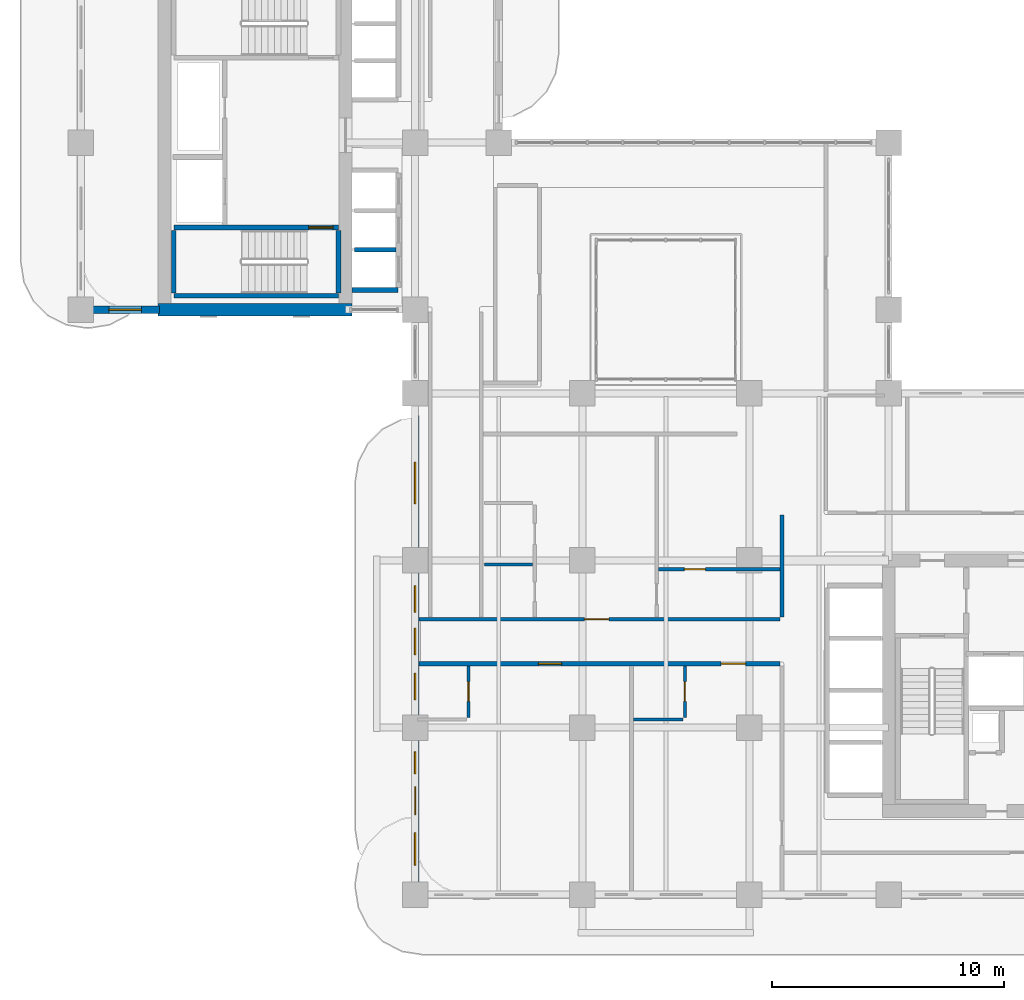
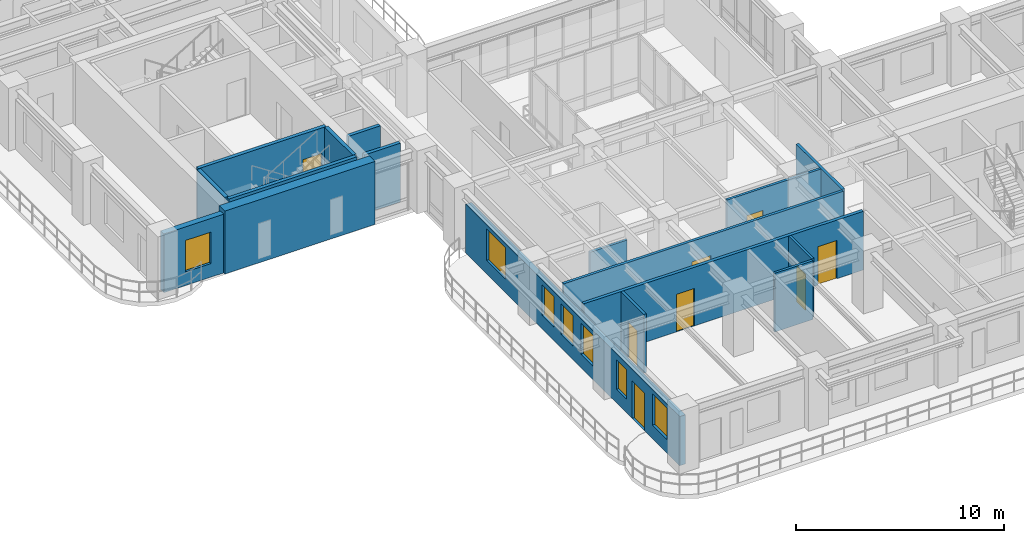
# One storey, part 12 of 22: 17 walls, 8 doors, 7 windows, 15 openings.
"""IFC4 building model written with IfcOpenShell, lengths in metres."""

from ifc_helpers import new_model, si_unit, derived_unit, direction, frame, frame_2d, origin, place, context, subcontext, project, spatial, rectangle, extrude, source, transform, mapped, material, layer, layer_set, type_object, type_shapes, element, fill, save


model = new_model("IFC4")

# Units and contexts
model_context = context("Model", 3, precision=1e-05, world=origin(), true_north=direction((0.0, 1.0)))
body_context = subcontext(model_context, "Body", "Model", "MODEL_VIEW")
ifc_project = project(units=[si_unit("LENGTHUNIT", "METRE"), si_unit("AREAUNIT", "SQUARE_METRE"), si_unit("VOLUMEUNIT", "CUBIC_METRE"), si_unit("PLANEANGLEUNIT", "RADIAN"), si_unit("MASSUNIT", "GRAM", prefix="KILO"), si_unit("THERMODYNAMICTEMPERATUREUNIT", "KELVIN"), si_unit("POWERUNIT", "WATT"), derived_unit("THERMALTRANSMITTANCEUNIT", [(si_unit("POWERUNIT", "WATT"), 1), (si_unit("AREAUNIT", "SQUARE_METRE"), -1), (si_unit("THERMODYNAMICTEMPERATUREUNIT", "KELVIN"), -1)])], contexts=[model_context])

# Site, building, storey
site_placement = place(None, origin())
site = spatial("IfcSite", under=ifc_project, at=site_placement, CompositionType="ELEMENT")
building_placement = place(site_placement, origin())
building = spatial("IfcBuilding", under=site, at=building_placement, Name="Zahravan Archway Hotel and Residences", CompositionType="ELEMENT")
storey_placement = place(building_placement, frame((0.0, 0.0, 91.60009765625)))
storey = spatial("IfcBuildingStorey", under=building, at=storey_placement, Name="L22", CompositionType="ELEMENT", Elevation=91.60009765625)

# Wall
ifc_material_1 = material(Name="Concrete C70/85", Category="concrete")
ifc_layer_1 = layer(ifc_material_1, 0.550048828125, Name="Concrete C70/85", Category="concrete")
ifc_layer_set_1 = layer_set([ifc_layer_1], Name="Concrete C70/85")
wall_type_1 = type_object("IfcWallType", Name="CW-CORE-550", PredefinedType="SHEAR", material=ifc_layer_set_1)
wall_1_placement = place(storey_placement, frame((3.324951171875, 25.199951171875, 0.0), z_axis=(0.0, 0.0, 1.0), x_axis=(1.0, 0.0, 0.0)))
element("IfcWall", 1, at=wall_1_placement, inside=storey, type_object=wall_type_1, Name="L22 Core B Shear S Wall 550 mm", PredefinedType="SHEAR", context=body_context, shape_type="SweptSolid", body=[
    extrude(rectangle(XDim=8.35009765625, YDim=0.550048828125, at=frame_2d((4.175048828125, 0.0))), origin(), (0.0, 0.0, 1.0), 3.699951171875),
])

# Wall, openings, door, windows
ifc_material_2 = material(Name="Agra Buff Sandstone & Insulated Backup", Category="masonry")
ifc_layer_2 = layer(ifc_material_2, 0.320068359375, Name="Agra Buff Sandstone & Insulated Backup", Category="masonry")
ifc_layer_set_2 = layer_set([ifc_layer_2], Name="Agra Buff Sandstone & Insulated Backup")
wall_type_2 = type_object("IfcWallType", Name="EW-SAND-320", PredefinedType="SOLIDWALL", material=ifc_layer_set_2)
wall_2_placement = place(storey_placement, frame((14.39990234375, 0.050048828125, 0.0), z_axis=(0.0, 0.0, 1.0), x_axis=(0.0, 1.0, 0.0)))
wall_2 = element("IfcWall", 2, at=wall_2_placement, inside=storey, type_object=wall_type_2, Name="L22 Exterior Sandstone Wall WA-WL", PredefinedType="SOLIDWALL", context=body_context, shape_type="SweptSolid", body=[
    extrude(rectangle(XDim=20.599853515625, YDim=0.320068359375, at=frame_2d((10.2998046875, 0.0))), origin(), (0.0, 0.0, 1.0), 2.885009765625),
])
opening_1_placement = place(wall_2_placement, frame((3.39990234375, 0.0, 0.0)))
opening_1 = element("IfcOpeningElement", 3, at=opening_1_placement, cuts=wall_2, Name="Opening ED-BL1", PredefinedType="OPENING", context=body_context, shape_type="SweptSolid", body=[
    extrude(rectangle(XDim=1.199951171875, YDim=2.199951171875, at=frame_2d((0.60009765625, 1.10009765625))), frame((0.0, 0.169921875, 0.0), z_axis=(0.0, -1.0, 0.0), x_axis=(1.0, 0.0, 0.0)), (0.0, 0.0, 1.0), 0.340087890625),
])
opening_2_placement = place(wall_2_placement, frame((1.22509765625, 0.0, 0.800048828125)))
opening_2 = element("IfcOpeningElement", 4, at=opening_2_placement, cuts=wall_2, Name="Opening W-03", PredefinedType="OPENING", context=body_context, shape_type="SweptSolid", body=[
    extrude(rectangle(XDim=1.39990234375, YDim=1.85009765625, at=frame_2d((0.699951171875, 0.925048828125))), frame((0.0, 0.169921875, 0.0), z_axis=(0.0, -1.0, 0.0), x_axis=(1.0, 0.0, 0.0)), (0.0, 0.0, 1.0), 0.340087890625),
])
opening_3_placement = place(wall_2_placement, frame((5.14990234375, 0.0, 0.800048828125)))
opening_3 = element("IfcOpeningElement", 5, at=opening_3_placement, cuts=wall_2, Name="Opening W-04", PredefinedType="OPENING", context=body_context, shape_type="SweptSolid", body=[
    extrude(rectangle(XDim=0.949951171875, YDim=1.75, at=frame_2d((0.47509765625, 0.875))), frame((0.0, 0.169921875, 0.0), z_axis=(0.0, -1.0, 0.0), x_axis=(1.0, 0.0, 0.0)), (0.0, 0.0, 1.0), 0.340087890625),
])
opening_4_placement = place(wall_2_placement, frame((8.345947265625, 0.0, 0.800048828125)))
opening_4 = element("IfcOpeningElement", 6, at=opening_4_placement, cuts=wall_2, Name="Opening W-05", PredefinedType="OPENING", context=body_context, shape_type="SweptSolid", body=[
    extrude(rectangle(XDim=1.14990234375, YDim=1.800048828125, at=frame_2d((0.574951171875, 0.89990234375))), frame((0.0, 0.169921875, 0.0), z_axis=(0.0, -1.0, 0.0), x_axis=(1.0, 0.0, 0.0)), (0.0, 0.0, 1.0), 0.340087890625),
])
opening_5_placement = place(wall_2_placement, frame((10.284912109375, 0.0, 0.800048828125)))
opening_5 = element("IfcOpeningElement", 7, at=opening_5_placement, cuts=wall_2, Name="Opening W-05", PredefinedType="OPENING", context=body_context, shape_type="SweptSolid", body=[
    extrude(rectangle(XDim=1.14990234375, YDim=1.800048828125, at=frame_2d((0.574951171875, 0.89990234375))), frame((0.0, 0.169921875, 0.0), z_axis=(0.0, -1.0, 0.0), x_axis=(1.0, 0.0, 0.0)), (0.0, 0.0, 1.0), 0.340087890625),
])
opening_6_placement = place(wall_2_placement, frame((12.114013671875, 0.0, 0.800048828125)))
opening_6 = element("IfcOpeningElement", 8, at=opening_6_placement, cuts=wall_2, Name="Opening W-05", PredefinedType="OPENING", context=body_context, shape_type="SweptSolid", body=[
    extrude(rectangle(XDim=1.14990234375, YDim=1.800048828125, at=frame_2d((0.574951171875, 0.89990234375))), frame((0.0, 0.169921875, 0.0), z_axis=(0.0, -1.0, 0.0), x_axis=(1.0, 0.0, 0.0)), (0.0, 0.0, 1.0), 0.340087890625),
])
opening_7_placement = place(wall_2_placement, frame((16.7900390625, 0.0, 0.800048828125)))
opening_7 = element("IfcOpeningElement", 9, at=opening_7_placement, cuts=wall_2, Name="Opening W-02", PredefinedType="OPENING", context=body_context, shape_type="SweptSolid", body=[
    extrude(rectangle(XDim=1.800048828125, YDim=1.85009765625, at=frame_2d((0.89990234375, 0.925048828125))), frame((0.0, 0.169921875, 0.0), z_axis=(0.0, -1.0, 0.0), x_axis=(1.0, 0.0, 0.0)), (0.0, 0.0, 1.0), 0.340087890625),
])
ifc_material_3 = material(Name="Bronze-Anodized Glazed Aluminium", Category="aluminium")
door_type_1 = type_object("IfcDoorType", Name="ED-BALC-1200", OperationType="SLIDING_TO_LEFT", PredefinedType="DOOR", material=ifc_material_3)
shared_shape_1 = source(origin(), body_context, "Body", "SweptSolid", [
    extrude(rectangle(XDim=1.199951171875, YDim=2.199951171875, at=frame_2d((0.60009765625, 1.10009765625))), frame((0.0, 0.02490234375, 0.0), z_axis=(0.0, -1.0, 0.0), x_axis=(1.0, 0.0, 0.0)), (0.0, 0.0, 1.0), 0.050048828125),
])
type_shapes(door_type_1, [shared_shape_1])
door_1_placement = place(opening_1_placement, origin())
door_1 = element("IfcDoor", 10, at=door_1_placement, inside=storey, type_object=door_type_1, Name="L22 Outdoor Access Sliding Door (SLB-BAL-L22-WA)", OperationType="SLIDING_TO_LEFT", OverallHeight=2.199951171875, OverallWidth=1.199951171875, PredefinedType="DOOR", context=body_context, shape_type="MappedRepresentation", body=[
    mapped(shared_shape_1, transform((0.0, 0.0, 0.0), scale=1.0)),
])
fill(opening_1, door_1)
ifc_material_4 = material(Name="Bronze-Anodized Thermal-Break Aluminium & Low-E Glass", Category="aluminium")
window_type_1 = type_object("IfcWindowType", Name="WIN-TWR-1400", PartitioningType="SINGLE_PANEL", PredefinedType="WINDOW", material=ifc_material_4)
shared_shape_2 = source(origin(), body_context, "Body", "SweptSolid", [
    extrude(rectangle(XDim=1.39990234375, YDim=1.85009765625, at=frame_2d((0.699951171875, 0.925048828125))), frame((0.0, 0.030029296875, 0.0), z_axis=(0.0, -1.0, 0.0), x_axis=(1.0, 0.0, 0.0)), (0.0, 0.0, 1.0), 0.06005859375),
])
type_shapes(window_type_1, [shared_shape_2])
window_1_placement = place(opening_2_placement, origin())
window_1 = element("IfcWindow", 11, at=window_1_placement, inside=storey, type_object=window_type_1, Name="L22 Loggia Window 22", OverallHeight=1.85009765625, OverallWidth=1.39990234375, PartitioningType="SINGLE_PANEL", PredefinedType="WINDOW", context=body_context, shape_type="MappedRepresentation", body=[
    mapped(shared_shape_2, transform((0.0, 0.0, 0.0), scale=1.0)),
])
fill(opening_2, window_1)
window_type_2 = type_object("IfcWindowType", Name="WIN-NAR-950", PartitioningType="SINGLE_PANEL", PredefinedType="WINDOW", material=ifc_material_4)
shared_shape_3 = source(origin(), body_context, "Body", "SweptSolid", [
    extrude(rectangle(XDim=0.949951171875, YDim=1.75, at=frame_2d((0.47509765625, 0.875))), frame((0.0, 0.030029296875, 0.0), z_axis=(0.0, -1.0, 0.0), x_axis=(1.0, 0.0, 0.0)), (0.0, 0.0, 1.0), 0.06005859375),
])
type_shapes(window_type_2, [shared_shape_3])
window_2_placement = place(opening_3_placement, origin())
window_2 = element("IfcWindow", 12, at=window_2_placement, inside=storey, type_object=window_type_2, Name="L22 Loggia Window 23", OverallHeight=1.75, OverallWidth=0.949951171875, PartitioningType="SINGLE_PANEL", PredefinedType="WINDOW", context=body_context, shape_type="MappedRepresentation", body=[
    mapped(shared_shape_3, transform((0.0, 0.0, 0.0), scale=1.0)),
])
fill(opening_3, window_2)
window_type_3 = type_object("IfcWindowType", Name="WIN-TWR-1800", PartitioningType="DOUBLE_PANEL_VERTICAL", PredefinedType="WINDOW", material=ifc_material_4)
shared_shape_4 = source(origin(), body_context, "Body", "SweptSolid", [
    extrude(rectangle(XDim=1.800048828125, YDim=1.85009765625, at=frame_2d((0.89990234375, 0.925048828125))), frame((0.0, 0.030029296875, 0.0), z_axis=(0.0, -1.0, 0.0), x_axis=(1.0, 0.0, 0.0)), (0.0, 0.0, 1.0), 0.06005859375),
])
type_shapes(window_type_3, [shared_shape_4])
window_3_placement = place(opening_7_placement, origin())
window_3 = element("IfcWindow", 13, at=window_3_placement, inside=storey, type_object=window_type_3, Name="L22 Loggia Window 27", OverallHeight=1.85009765625, OverallWidth=1.800048828125, PartitioningType="DOUBLE_PANEL_VERTICAL", PredefinedType="WINDOW", context=body_context, shape_type="MappedRepresentation", body=[
    mapped(shared_shape_4, transform((0.0, 0.0, 0.0), scale=1.0)),
])
fill(opening_7, window_3)
window_type_4 = type_object("IfcWindowType", Name="WIN-TWR-1150", PartitioningType="SINGLE_PANEL", PredefinedType="WINDOW", material=ifc_material_4)
shared_shape_5 = source(origin(), body_context, "Body", "SweptSolid", [
    extrude(rectangle(XDim=1.14990234375, YDim=1.800048828125, at=frame_2d((0.574951171875, 0.89990234375))), frame((0.0, 0.030029296875, 0.0), z_axis=(0.0, -1.0, 0.0), x_axis=(1.0, 0.0, 0.0)), (0.0, 0.0, 1.0), 0.06005859375),
])
type_shapes(window_type_4, [shared_shape_5])
window_4_placement = place(opening_4_placement, origin())
window_4 = element("IfcWindow", 14, at=window_4_placement, inside=storey, type_object=window_type_4, Name="L22 Loggia Window 24", OverallHeight=1.800048828125, OverallWidth=1.14990234375, PartitioningType="SINGLE_PANEL", PredefinedType="WINDOW", context=body_context, shape_type="MappedRepresentation", body=[
    mapped(shared_shape_5, transform((0.0, 0.0, 0.0), scale=1.0)),
])
fill(opening_4, window_4)
window_5_placement = place(opening_5_placement, origin())
window_5 = element("IfcWindow", 15, at=window_5_placement, inside=storey, type_object=window_type_4, Name="L22 Loggia Window 25", OverallHeight=1.800048828125, OverallWidth=1.14990234375, PartitioningType="SINGLE_PANEL", PredefinedType="WINDOW", context=body_context, shape_type="MappedRepresentation", body=[
    mapped(shared_shape_5, transform((0.0, 0.0, 0.0), scale=1.0)),
])
fill(opening_5, window_5)
window_6_placement = place(opening_6_placement, origin())
window_6 = element("IfcWindow", 16, at=window_6_placement, inside=storey, type_object=window_type_4, Name="L22 Loggia Window 26", OverallHeight=1.800048828125, OverallWidth=1.14990234375, PartitioningType="SINGLE_PANEL", PredefinedType="WINDOW", context=body_context, shape_type="MappedRepresentation", body=[
    mapped(shared_shape_5, transform((0.0, 0.0, 0.0), scale=1.0)),
])
fill(opening_6, window_6)

# Wall, opening, window
wall_3_placement = place(storey_placement, frame((0.0, 25.199951171875, 0.0), z_axis=(0.0, 0.0, 1.0), x_axis=(1.0, 0.0, 0.0)))
wall_3 = element("IfcWall", 17, at=wall_3_placement, inside=storey, type_object=wall_type_2, Name="L22 Exterior Sandstone Wall WB-SW", PredefinedType="SOLIDWALL", context=body_context, shape_type="SweptSolid", body=[
    extrude(rectangle(XDim=3.3798828125, YDim=0.320068359375, at=frame_2d((1.68994140625, 0.0))), origin(), (0.0, 0.0, 1.0), 3.449951171875),
])
opening_8_placement = place(wall_3_placement, frame((1.205078125, 0.0, 0.800048828125)))
opening_8 = element("IfcOpeningElement", 18, at=opening_8_placement, cuts=wall_3, Name="Opening W-03", PredefinedType="OPENING", context=body_context, shape_type="SweptSolid", body=[
    extrude(rectangle(XDim=1.39990234375, YDim=1.85009765625, at=frame_2d((0.699951171875, 0.925048828125))), frame((0.0, 0.169921875, 0.0), z_axis=(0.0, -1.0, 0.0), x_axis=(1.0, 0.0, 0.0)), (0.0, 0.0, 1.0), 0.340087890625),
])
window_7_placement = place(opening_8_placement, origin())
window_7 = element("IfcWindow", 19, at=window_7_placement, inside=storey, type_object=window_type_1, Name="L22 Loggia Window 28", OverallHeight=1.85009765625, OverallWidth=1.39990234375, PartitioningType="SINGLE_PANEL", PredefinedType="WINDOW", context=body_context, shape_type="MappedRepresentation", body=[
    mapped(shared_shape_2, transform((0.0, 0.0, 0.0), scale=1.0)),
])
fill(opening_8, window_7)

# Wall, opening, door
ifc_material_5 = material(Name="Fire-Rated Gypsum & Concrete Block", Category="concrete")
ifc_layer_3 = layer(ifc_material_5, 0.159912109375, Name="Fire-Rated Gypsum & Concrete Block", Category="concrete")
ifc_layer_set_3 = layer_set([ifc_layer_3], Name="Fire-Rated Gypsum & Concrete Block")
wall_type_3 = type_object("IfcWallType", Name="PW-CORR-160", PredefinedType="PARTITIONING", material=ifc_layer_set_3)
wall_4_placement = place(storey_placement, frame((14.568115234375, 11.8701171875, 0.0), z_axis=(0.0, 0.0, 1.0), x_axis=(1.0, 0.0, 0.0)))
wall_4 = element("IfcWall", 20, at=wall_4_placement, inside=storey, type_object=wall_type_3, Name="L22 Partition WA-CN", PredefinedType="PARTITIONING", context=body_context, shape_type="SweptSolid", body=[
    extrude(rectangle(XDim=15.5419921875, YDim=0.159912109375, at=frame_2d((7.77099609375, 0.0))), origin(), (0.0, 0.0, 1.0), 3.449951171875),
])
opening_9_placement = place(wall_4_placement, frame((7.1220703125, 0.0, 0.0)))
opening_9 = element("IfcOpeningElement", 21, at=opening_9_placement, cuts=wall_4, Name="Opening D-U1", PredefinedType="OPENING", context=body_context, shape_type="SweptSolid", body=[
    extrude(rectangle(XDim=1.050048828125, YDim=2.25, at=frame_2d((0.52490234375, 1.125))), frame((0.0, 0.08984375, 0.0), z_axis=(0.0, -1.0, 0.0), x_axis=(1.0, 0.0, 0.0)), (0.0, 0.0, 1.0), 0.179931640625),
])
ifc_material_6 = material(Name="Hardwood Veneer Timber", Category="wood")
door_type_2 = type_object("IfcDoorType", Name="ID-UNIT-1050", OperationType="NOTDEFINED", PredefinedType="DOOR", material=ifc_material_6)
shared_shape_6 = source(origin(), body_context, "Body", "SweptSolid", [
    extrude(rectangle(XDim=1.050048828125, YDim=2.25, at=frame_2d((0.52490234375, 1.125))), frame((0.0, 0.02490234375, 0.0), z_axis=(0.0, -1.0, 0.0), x_axis=(1.0, 0.0, 0.0)), (0.0, 0.0, 1.0), 0.050048828125),
])
type_shapes(door_type_2, [shared_shape_6])
door_2_placement = place(opening_9_placement, origin())
door_2 = element("IfcDoor", 22, at=door_2_placement, inside=storey, type_object=door_type_2, Name="L22 Flat AT1 Entrance Door", OperationType="SINGLE_SWING_RIGHT", OverallHeight=2.25, OverallWidth=1.050048828125, PredefinedType="DOOR", context=body_context, shape_type="MappedRepresentation", body=[
    mapped(shared_shape_6, transform((0.0, 0.0, 0.0), scale=1.0)),
])
fill(opening_9, door_2)

# Wall
wall_5_placement = place(storey_placement, frame((30.199951171875, 11.9599609375, 0.0), z_axis=(0.0, 0.0, 1.0), x_axis=(0.0, 1.0, 0.0)))
element("IfcWall", 23, at=wall_5_placement, inside=storey, type_object=wall_type_3, Name="L22 Partition WA-FW", PredefinedType="PARTITIONING", context=body_context, shape_type="SweptSolid", body=[
    extrude(rectangle(XDim=4.400146484375, YDim=0.159912109375, at=frame_2d((2.2001953125, 0.0))), origin(), (0.0, 0.0, 1.0), 3.449951171875),
])

# Wall, openings, doors
ifc_layer_4 = layer(ifc_material_5, 0.179931640625, Name="Fire-Rated Gypsum & Concrete Block", Category="concrete")
ifc_layer_set_4 = layer_set([ifc_layer_4], Name="Fire-Rated Gypsum & Concrete Block")
wall_type_4 = type_object("IfcWallType", Name="PW-CORR-180", PredefinedType="PARTITIONING", material=ifc_layer_set_4)
wall_6_placement = place(storey_placement, frame((14.568115234375, 9.949951171875, 0.0), z_axis=(0.0, 0.0, 1.0), x_axis=(1.0, 0.0, 0.0)))
wall_6 = element("IfcWall", 24, at=wall_6_placement, inside=storey, type_object=wall_type_4, Name="L22 Partition WA-CS", PredefinedType="PARTITIONING", context=body_context, shape_type="SweptSolid", body=[
    extrude(rectangle(XDim=15.5419921875, YDim=0.179931640625, at=frame_2d((7.77099609375, 0.0))), origin(), (0.0, 0.0, 1.0), 3.449951171875),
])
opening_10_placement = place(wall_6_placement, frame((5.14208984375, 0.0, 0.0)))
opening_10 = element("IfcOpeningElement", 25, at=opening_10_placement, cuts=wall_6, Name="Opening D-U2", PredefinedType="OPENING", context=body_context, shape_type="SweptSolid", body=[
    extrude(rectangle(XDim=1.0, YDim=2.199951171875, at=frame_2d((0.5, 1.10009765625))), frame((0.0, 0.10009765625, 0.0), z_axis=(0.0, -1.0, 0.0), x_axis=(1.0, 0.0, 0.0)), (0.0, 0.0, 1.0), 0.199951171875),
])
opening_11_placement = place(wall_6_placement, frame((13.01708984375, 0.0, 0.0)))
opening_11 = element("IfcOpeningElement", 26, at=opening_11_placement, cuts=wall_6, Name="Opening D-U1", PredefinedType="OPENING", context=body_context, shape_type="SweptSolid", body=[
    extrude(rectangle(XDim=1.050048828125, YDim=2.25, at=frame_2d((0.52490234375, 1.125))), frame((0.0, 0.10009765625, 0.0), z_axis=(0.0, -1.0, 0.0), x_axis=(1.0, 0.0, 0.0)), (0.0, 0.0, 1.0), 0.199951171875),
])
door_3_placement = place(opening_11_placement, origin())
door_3 = element("IfcDoor", 27, at=door_3_placement, inside=storey, type_object=door_type_2, Name="L22 Hotel Guestroom 12 Entrance Door", OperationType="SINGLE_SWING_LEFT", OverallHeight=2.25, OverallWidth=1.050048828125, PredefinedType="DOOR", context=body_context, shape_type="MappedRepresentation", body=[
    mapped(shared_shape_6, transform((0.0, 0.0, 0.0), scale=1.0)),
])
fill(opening_11, door_3)
door_type_3 = type_object("IfcDoorType", Name="ID-UNIT-1000", OperationType="NOTDEFINED", PredefinedType="DOOR", material=ifc_material_6)
shared_shape_7 = source(origin(), body_context, "Body", "SweptSolid", [
    extrude(rectangle(XDim=1.0, YDim=2.199951171875, at=frame_2d((0.5, 1.10009765625))), frame((0.0, 0.02490234375, 0.0), z_axis=(0.0, -1.0, 0.0), x_axis=(1.0, 0.0, 0.0)), (0.0, 0.0, 1.0), 0.050048828125),
])
type_shapes(door_type_3, [shared_shape_7])
door_4_placement = place(opening_10_placement, origin())
door_4 = element("IfcDoor", 28, at=door_4_placement, inside=storey, type_object=door_type_3, Name="L22 Hotel Guestroom 11 Entrance Door", OperationType="SINGLE_SWING_LEFT", OverallHeight=2.199951171875, OverallWidth=1.0, PredefinedType="DOOR", context=body_context, shape_type="MappedRepresentation", body=[
    mapped(shared_shape_7, transform((0.0, 0.0, 0.0), scale=1.0)),
])
fill(opening_10, door_4)

# Walls
ifc_layer_5 = layer(ifc_material_5, 0.199951171875, Name="Fire-Rated Gypsum & Concrete Block", Category="concrete")
ifc_layer_set_5 = layer_set([ifc_layer_5], Name="Fire-Rated Gypsum & Concrete Block")
wall_type_5 = type_object("IfcWallType", Name="PW-SHAFT-200", PredefinedType="PARTITIONING", material=ifc_layer_set_5)
wall_7_placement = place(storey_placement, frame((11.68505859375, 26.050048828125, 0.0), z_axis=(0.0, 0.0, 1.0), x_axis=(1.0, 0.0, 0.0)))
element("IfcWall", 29, at=wall_7_placement, inside=storey, type_object=wall_type_5, Name="L22 Partition B1-S", PredefinedType="PARTITIONING", context=body_context, shape_type="SweptSolid", body=[
    extrude(rectangle(XDim=1.98486328125, YDim=0.199951171875, at=frame_2d((0.992431640625, 0.0))), origin(), (0.0, 0.0, 1.0), 3.449951171875),
])
wall_8_placement = place(storey_placement, frame((11.784912109375, 27.7900390625, 0.0), z_axis=(0.0, 0.0, 1.0), x_axis=(1.0, 0.0, 0.0)))
element("IfcWall", 30, at=wall_8_placement, inside=storey, type_object=wall_type_5, Name="L22 Partition B1-D", PredefinedType="PARTITIONING", context=body_context, shape_type="SweptSolid", body=[
    extrude(rectangle(XDim=1.78515625, YDim=0.199951171875, at=frame_2d((0.892578125, 0.0))), origin(), (0.0, 0.0, 1.0), 3.449951171875),
])

# Wall, opening, door
ifc_material_7 = material(Name="Acoustic Stud Partition")
ifc_layer_6 = layer(ifc_material_7, 0.14990234375, Name="Acoustic Stud Partition")
ifc_layer_set_6 = layer_set([ifc_layer_6], Name="Acoustic Stud Partition")
wall_type_6 = type_object("IfcWallType", Name="PW-UNIT-150", PredefinedType="PARTITIONING", material=ifc_layer_set_6)
wall_9_placement = place(storey_placement, frame((24.889892578125, 14.02001953125, 0.0), z_axis=(0.0, 0.0, 1.0), x_axis=(1.0, 0.0, 0.0)))
wall_9 = element("IfcWall", 31, at=wall_9_placement, inside=storey, type_object=wall_type_6, Name="L22 Partition FL-AT1-GH", PredefinedType="PARTITIONING", context=body_context, shape_type="SweptSolid", body=[
    extrude(rectangle(XDim=5.22021484375, YDim=0.14990234375, at=frame_2d((2.610107421875, 0.0))), origin(), (0.0, 0.0, 1.0), 3.449951171875),
])
opening_12_placement = place(wall_9_placement, frame((1.110107421875, 0.0, 0.0)))
opening_12 = element("IfcOpeningElement", 32, at=opening_12_placement, cuts=wall_9, Name="Opening D-I2", PredefinedType="OPENING", context=body_context, shape_type="SweptSolid", body=[
    extrude(rectangle(XDim=0.89990234375, YDim=2.14990234375, at=frame_2d((0.449951171875, 1.074951171875))), frame((0.0, 0.0849609375, 0.0), z_axis=(0.0, -1.0, 0.0), x_axis=(1.0, 0.0, 0.0)), (0.0, 0.0, 1.0), 0.169921875),
])
door_type_4 = type_object("IfcDoorType", Name="ID-INT-900", OperationType="NOTDEFINED", PredefinedType="DOOR", material=ifc_material_6)
shared_shape_8 = source(origin(), body_context, "Body", "SweptSolid", [
    extrude(rectangle(XDim=0.89990234375, YDim=2.14990234375, at=frame_2d((0.449951171875, 1.074951171875))), frame((0.0, 0.02490234375, 0.0), z_axis=(0.0, -1.0, 0.0), x_axis=(1.0, 0.0, 0.0)), (0.0, 0.0, 1.0), 0.050048828125),
])
type_shapes(door_type_4, [shared_shape_8])
door_5_placement = place(opening_12_placement, origin())
door_5 = element("IfcDoor", 33, at=door_5_placement, inside=storey, type_object=door_type_4, Name="L22 Flat AT1 Bedroom 1 Door", OperationType="SINGLE_SWING_RIGHT", OverallHeight=2.14990234375, OverallWidth=0.89990234375, PredefinedType="DOOR", context=body_context, shape_type="MappedRepresentation", body=[
    mapped(shared_shape_8, transform((0.0, 0.0, 0.0), scale=1.0)),
])
fill(opening_12, door_5)

ifc_material_8 = material(Name="Moisture-Resistant Blockwork", Category="masonry")
ifc_layer_7 = layer(ifc_material_8, 0.139892578125, Name="Moisture-Resistant Blockwork", Category="masonry")
ifc_layer_set_7 = layer_set([ifc_layer_7], Name="Moisture-Resistant Blockwork")
wall_type_7 = type_object("IfcWallType", Name="PW-WET-140", PredefinedType="PARTITIONING", material=ifc_layer_set_7)
wall_10_placement = place(storey_placement, frame((16.699951171875, 7.639892578125, 0.0), z_axis=(0.0, 0.0, 1.0), x_axis=(0.0, 1.0, 0.0)))
wall_10 = element("IfcWall", 34, at=wall_10_placement, inside=storey, type_object=wall_type_7, Name="L22 Partition HKB-V11", PredefinedType="PARTITIONING", context=body_context, shape_type="SweptSolid", body=[
    extrude(rectangle(XDim=2.22021484375, YDim=0.139892578125, at=frame_2d((1.110107421875, 0.0))), origin(), (0.0, 0.0, 1.0), 3.449951171875),
])
opening_13_placement = place(wall_10_placement, frame((0.68505859375, 0.0, 0.0)))
opening_13 = element("IfcOpeningElement", 35, at=opening_13_placement, cuts=wall_10, Name="Opening D-B1", PredefinedType="OPENING", context=body_context, shape_type="SweptSolid", body=[
    extrude(rectangle(XDim=0.85009765625, YDim=2.10009765625, at=frame_2d((0.425048828125, 1.050048828125))), frame((0.0, 0.080078125, 0.0), z_axis=(0.0, -1.0, 0.0), x_axis=(1.0, 0.0, 0.0)), (0.0, 0.0, 1.0), 0.159912109375),
])
door_type_5 = type_object("IfcDoorType", Name="ID-BATH-850", OperationType="NOTDEFINED", PredefinedType="DOOR", material=ifc_material_6)
shared_shape_9 = source(origin(), body_context, "Body", "SweptSolid", [
    extrude(rectangle(XDim=0.85009765625, YDim=2.10009765625, at=frame_2d((0.425048828125, 1.050048828125))), frame((0.0, 0.02490234375, 0.0), z_axis=(0.0, -1.0, 0.0), x_axis=(1.0, 0.0, 0.0)), (0.0, 0.0, 1.0), 0.050048828125),
])
type_shapes(door_type_5, [shared_shape_9])
door_6_placement = place(opening_13_placement, origin())
door_6 = element("IfcDoor", 36, at=door_6_placement, inside=storey, type_object=door_type_5, Name="L22 Guestroom 11 En-Suite Door", OperationType="SINGLE_SWING_RIGHT", OverallHeight=2.10009765625, OverallWidth=0.85009765625, PredefinedType="DOOR", context=body_context, shape_type="MappedRepresentation", body=[
    mapped(shared_shape_9, transform((0.0, 0.0, 0.0), scale=1.0)),
])
fill(opening_13, door_6)

wall_11_placement = place(storey_placement, frame((26.02001953125, 7.639892578125, 0.0), z_axis=(0.0, 0.0, 1.0), x_axis=(0.0, 1.0, 0.0)))
wall_11 = element("IfcWall", 37, at=wall_11_placement, inside=storey, type_object=wall_type_7, Name="L22 Partition HKB-V12", PredefinedType="PARTITIONING", context=body_context, shape_type="SweptSolid", body=[
    extrude(rectangle(XDim=2.22021484375, YDim=0.139892578125, at=frame_2d((1.110107421875, 0.0))), origin(), (0.0, 0.0, 1.0), 3.449951171875),
])
opening_14_placement = place(wall_11_placement, frame((0.68505859375, 0.0, 0.0)))
opening_14 = element("IfcOpeningElement", 38, at=opening_14_placement, cuts=wall_11, Name="Opening D-B1", PredefinedType="OPENING", context=body_context, shape_type="SweptSolid", body=[
    extrude(rectangle(XDim=0.85009765625, YDim=2.10009765625, at=frame_2d((0.425048828125, 1.050048828125))), frame((0.0, 0.080078125, 0.0), z_axis=(0.0, -1.0, 0.0), x_axis=(1.0, 0.0, 0.0)), (0.0, 0.0, 1.0), 0.159912109375),
])
door_7_placement = place(opening_14_placement, origin())
door_7 = element("IfcDoor", 39, at=door_7_placement, inside=storey, type_object=door_type_5, Name="L22 Guestroom 12 En-Suite Door", OperationType="SINGLE_SWING_RIGHT", OverallHeight=2.10009765625, OverallWidth=0.85009765625, PredefinedType="DOOR", context=body_context, shape_type="MappedRepresentation", body=[
    mapped(shared_shape_9, transform((0.0, 0.0, 0.0), scale=1.0)),
])
fill(opening_14, door_7)

# Walls
wall_12_placement = place(storey_placement, frame((23.81005859375, 7.550048828125, 0.0), z_axis=(0.0, 0.0, 1.0), x_axis=(1.0, 0.0, 0.0)))
element("IfcWall", 40, at=wall_12_placement, inside=storey, type_object=wall_type_7, Name="L22 Partition HKB-H12", PredefinedType="PARTITIONING", context=body_context, shape_type="SweptSolid", body=[
    extrude(rectangle(XDim=2.119873046875, YDim=0.139892578125, at=frame_2d((1.06005859375, 0.0))), origin(), (0.0, 0.0, 1.0), 3.449951171875),
])
wall_13_placement = place(storey_placement, frame((17.389892578125, 14.219970703125, 0.0), z_axis=(0.0, 0.0, 1.0), x_axis=(1.0, 0.0, 0.0)))
element("IfcWall", 41, at=wall_13_placement, inside=storey, type_object=wall_type_7, Name="L22 Partition FL-AT1-BM", PredefinedType="PARTITIONING", context=body_context, shape_type="SweptSolid", body=[
    extrude(rectangle(XDim=2.070068359375, YDim=0.139892578125, at=frame_2d((1.03515625, 0.0))), origin(), (0.0, 0.0, 1.0), 2.885009765625),
])
ifc_material_9 = material(Name="Concrete C50/60", Category="concrete")
ifc_layer_8 = layer(ifc_material_9, 0.199951171875, Name="Concrete C50/60", Category="concrete")
ifc_layer_set_8 = layer_set([ifc_layer_8], Name="Concrete C50/60")
wall_type_8 = type_object("IfcWallType", Name="SW-STAIR-200", PredefinedType="SHEAR", material=ifc_layer_set_8)
wall_14_placement = place(storey_placement, frame((4.0, 25.800048828125, 0.0), z_axis=(0.0, 0.0, 1.0), x_axis=(1.0, 0.0, 0.0)))
element("IfcWall", 42, at=wall_14_placement, inside=storey, type_object=wall_type_8, Name="L22 Stairwell RC Wall CB-SB1S", PredefinedType="SHEAR", context=body_context, shape_type="SweptSolid", body=[
    extrude(rectangle(XDim=7.10009765625, YDim=0.199951171875, at=frame_2d((3.550048828125, 0.0))), origin(), (0.0, 0.0, 1.0), 3.699951171875),
])
for number, where, z_axis, x_axis, name in (
    (43, (4.0, 25.919921875, 0.0), (0.0, 0.0, 1.0), (0.0, 1.0, 0.0), "L22 Stairwell RC Wall CB-SB1W"),
    (44, (11.10009765625, 25.919921875, 0.0), (0.0, 0.0, 1.0), (0.0, 1.0, 0.0), "L22 Stairwell RC Wall CB-SB1E"),
):
    element("IfcWall", number, at=place(storey_placement, frame(where, z_axis=z_axis, x_axis=x_axis)), inside=storey, type_object=wall_type_8, Name=name, PredefinedType="SHEAR", context=body_context, shape_type="SweptSolid", body=[
        extrude(rectangle(XDim=2.7001953125, YDim=0.199951171875, at=frame_2d((1.35009765625, 0.0))), origin(), (0.0, 0.0, 1.0), 3.699951171875),
    ])

# Wall, opening, door
wall_15_placement = place(storey_placement, frame((4.0, 28.739990234375, 0.0), z_axis=(0.0, 0.0, 1.0), x_axis=(1.0, 0.0, 0.0)))
wall_15 = element("IfcWall", 45, at=wall_15_placement, inside=storey, type_object=wall_type_8, Name="L22 Stairwell RC Wall CB-SB1N", PredefinedType="SHEAR", context=body_context, shape_type="SweptSolid", body=[
    extrude(rectangle(XDim=7.10009765625, YDim=0.199951171875, at=frame_2d((3.550048828125, 0.0))), origin(), (0.0, 0.0, 1.0), 3.699951171875),
])
opening_15_placement = place(wall_15_placement, frame((5.81494140625, 0.0, 0.0)))
opening_15 = element("IfcOpeningElement", 46, at=opening_15_placement, cuts=wall_15, Name="Opening FD-S1", PredefinedType="OPENING", context=body_context, shape_type="SweptSolid", body=[
    extrude(rectangle(XDim=1.050048828125, YDim=2.199951171875, at=frame_2d((0.52490234375, 1.10009765625))), frame((0.0, 0.10986328125, 0.0), z_axis=(0.0, -1.0, 0.0), x_axis=(1.0, 0.0, 0.0)), (0.0, 0.0, 1.0), 0.219970703125),
])
ifc_material_10 = material(Name="Fire-Rated Painted Steel", Category="steel")
door_type_6 = type_object("IfcDoorType", Name="FD-STAIR-1100", OperationType="NOTDEFINED", PredefinedType="DOOR", material=ifc_material_10)
shared_shape_10 = source(origin(), body_context, "Body", "SweptSolid", [
    extrude(rectangle(XDim=1.050048828125, YDim=2.199951171875, at=frame_2d((0.52490234375, 1.10009765625))), frame((0.0, 0.02490234375, 0.0), z_axis=(0.0, -1.0, 0.0), x_axis=(1.0, 0.0, 0.0)), (0.0, 0.0, 1.0), 0.050048828125),
])
type_shapes(door_type_6, [shared_shape_10])
door_8_placement = place(opening_15_placement, origin())
door_8 = element("IfcDoor", 47, at=door_8_placement, inside=storey, type_object=door_type_6, Name="L22 Stair ST-B1 Door", OperationType="SINGLE_SWING_LEFT", OverallHeight=2.199951171875, OverallWidth=1.050048828125, PredefinedType="DOOR", context=body_context, shape_type="MappedRepresentation", body=[
    mapped(shared_shape_10, transform((0.0, 0.0, 0.0), scale=1.0)),
])
fill(opening_15, door_8)

save(model, "model.ifc")
